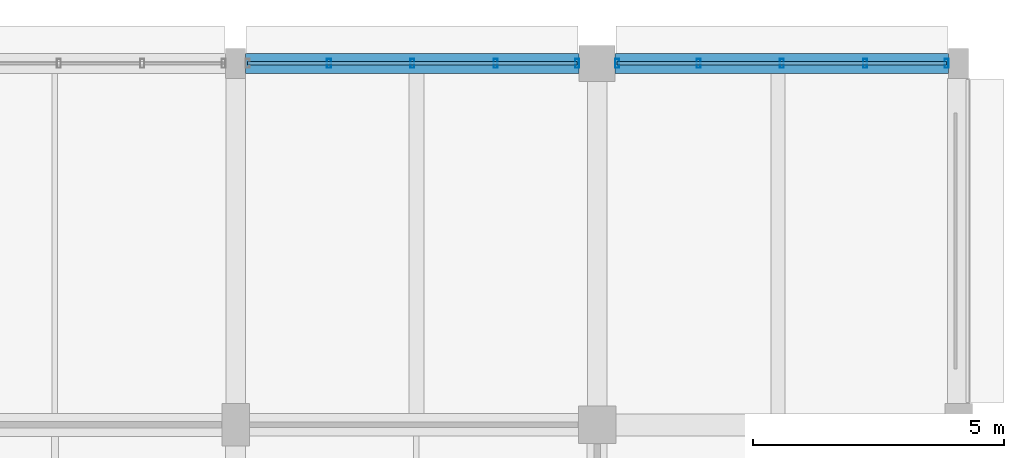
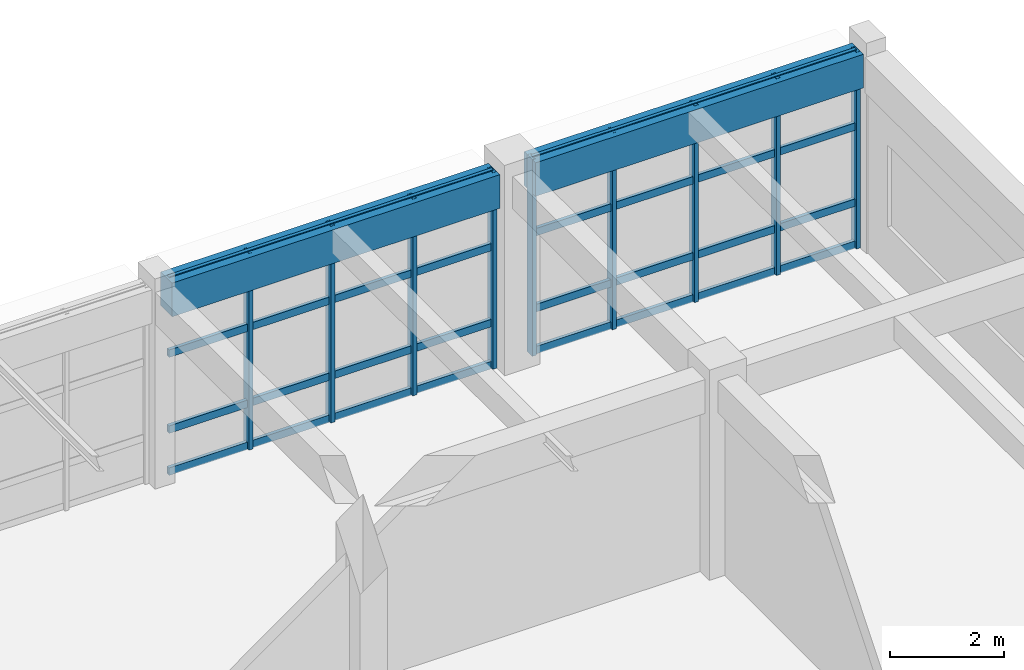
# One storey, part 116 of 171: 17 members, 2 beams, 2 elements without a shape of their own.
"""IFC4 building model written with IfcOpenShell, lengths in metres."""

from ifc_helpers import new_model, si_unit, direction, frame, origin, origin_2d, place, context, subcontext, project, spatial, rectangle, hollow_rectangle, extrude, material, material_profile, profile_set, type_object, element, aggregate, save


model = new_model("IFC4")

# Units and contexts
model_context = context("Model", 3, precision=1e-05, world=origin(), true_north=direction((0.0, 1.0)))
body_context = subcontext(model_context, "Body", "Model", "MODEL_VIEW")
ifc_project = project(units=[si_unit("LENGTHUNIT", "METRE"), si_unit("AREAUNIT", "SQUARE_METRE"), si_unit("VOLUMEUNIT", "CUBIC_METRE"), si_unit("PLANEANGLEUNIT", "RADIAN"), si_unit("MASSUNIT", "GRAM", prefix="KILO")], contexts=[model_context])

# Site, building, storey
site_placement = place(None, origin())
site = spatial("IfcSite", under=ifc_project, at=site_placement, CompositionType="ELEMENT")
building_placement = place(site_placement, origin())
building = spatial("IfcBuilding", under=site, at=building_placement, Name="Thalmaran Polytechnic", CompositionType="ELEMENT")
storey_placement = place(building_placement, frame((0.0, 0.0, 5.39990234375)))
storey = spatial("IfcBuildingStorey", under=building, at=storey_placement, Name="L01", CompositionType="ELEMENT", Elevation=5.39990234375)

# Beams
ifc_material_1 = material(Name="Concrete C40/50", Category="concrete")
ifc_material_profile_1 = material_profile(ifc_material_1, rectangle(XDim=0.39990234375, YDim=0.719970703125, at=origin_2d()), Name="RC 400x720")
ifc_profile_set_1 = profile_set([ifc_material_profile_1], Name="Concrete C40/50")
beam_type = type_object("IfcBeamType", Name="BM-SP01", PredefinedType="SPANDREL", material=ifc_profile_set_1)
beam_1_placement = place(storey_placement, frame((158.60009765625, 122.39990234375, 3.85009765625), z_axis=(1.0, 0.0, 0.0), x_axis=(0.0, 1.0, 0.0)))
element("IfcBeam", 1, at=beam_1_placement, inside=storey, type_object=beam_type, Name="Grid Beam SP01 L01 X(22,17)", PredefinedType="SPANDREL", context=body_context, shape_type="SweptSolid", body=[
    extrude(rectangle(XDim=0.39990234375, YDim=0.719970703125, at=origin_2d()), origin(), (0.0, 0.0, 1.0), 6.639892578125),
])
beam_2_placement = place(storey_placement, frame((165.9599609375, 122.39990234375, 3.85009765625), z_axis=(1.0, 0.0, 0.0), x_axis=(0.0, 1.0, 0.0)))
element("IfcBeam", 2, at=beam_2_placement, inside=storey, type_object=beam_type, Name="Grid Beam SP01 L01 X(23,17)", PredefinedType="SPANDREL", context=body_context, shape_type="SweptSolid", body=[
    extrude(rectangle(XDim=0.39990234375, YDim=0.719970703125, at=origin_2d()), origin(), (0.0, 0.0, 1.0), 6.64013671875),
])

# Curtain wall, members
ifc_material_2 = material(Name="Aluminium 6063-T6", Category="aluminium")
curtain_wall_type = type_object("IfcCurtainWallType", Name="CW-UC02", PredefinedType="USERDEFINED", material=ifc_material_2)
curtain_wall_1_placement = place(storey_placement, origin())
curtain_wall_1 = element("IfcCurtainWall", 3, at=curtain_wall_1_placement, inside=storey, type_object=curtain_wall_type, Name="Curtain Wall CW-L01-101", ObjectType="UNITISED CURTAIN WALL", PredefinedType="USERDEFINED")
ifc_material_profile_2 = material_profile(ifc_material_2, hollow_rectangle(XDim=0.080078125, YDim=0.179931640625, WallThickness=0.0048828125, at=origin_2d()), Name="RHS 180x80x5.0")
ifc_profile_set_2 = profile_set([ifc_material_profile_2], Name="Aluminium 6063-T6")
member_type_1 = type_object("IfcMemberType", Name="CW-MUL1", PredefinedType="MULLION", material=ifc_profile_set_2)
member_1_placement = place(storey_placement, frame((160.260009765625, 122.39990234375, 0.0), z_axis=(0.0, 0.0, 1.0), x_axis=(1.0, 0.0, 0.0)))
member_1 = element("IfcMember", 4, at=member_1_placement, type_object=member_type_1, Name="CW-L01-101 Mullion 2", PredefinedType="MULLION", context=body_context, shape_type="SweptSolid", body=[
    extrude(hollow_rectangle(XDim=0.080078125, YDim=0.179931640625, WallThickness=0.0048828125, at=origin_2d()), origin(), (0.0, 0.0, 1.0), 4.210205078125),
])
member_2_placement = place(storey_placement, frame((161.919921875, 122.39990234375, 0.0), z_axis=(0.0, 0.0, 1.0), x_axis=(1.0, 0.0, 0.0)))
member_2 = element("IfcMember", 5, at=member_2_placement, type_object=member_type_1, Name="CW-L01-101 Mullion 3", PredefinedType="MULLION", context=body_context, shape_type="SweptSolid", body=[
    extrude(hollow_rectangle(XDim=0.080078125, YDim=0.179931640625, WallThickness=0.0048828125, at=origin_2d()), origin(), (0.0, 0.0, 1.0), 4.210205078125),
])
member_3_placement = place(storey_placement, frame((163.580078125, 122.39990234375, 0.0), z_axis=(0.0, 0.0, 1.0), x_axis=(1.0, 0.0, 0.0)))
member_3 = element("IfcMember", 6, at=member_3_placement, type_object=member_type_1, Name="CW-L01-101 Mullion 4", PredefinedType="MULLION", context=body_context, shape_type="SweptSolid", body=[
    extrude(hollow_rectangle(XDim=0.080078125, YDim=0.179931640625, WallThickness=0.0048828125, at=origin_2d()), origin(), (0.0, 0.0, 1.0), 4.210205078125),
])
member_4_placement = place(storey_placement, frame((165.199951171875, 122.39990234375, 0.0), z_axis=(0.0, 0.0, 1.0), x_axis=(1.0, 0.0, 0.0)))
member_4 = element("IfcMember", 7, at=member_4_placement, type_object=member_type_1, Name="CW-L01-101 Mullion 5", PredefinedType="MULLION", context=body_context, shape_type="SweptSolid", body=[
    extrude(hollow_rectangle(XDim=0.080078125, YDim=0.179931640625, WallThickness=0.0048828125, at=origin_2d()), origin(), (0.0, 0.0, 1.0), 4.210205078125),
])

curtain_wall_2_placement = place(storey_placement, origin())
curtain_wall_2 = element("IfcCurtainWall", 8, at=curtain_wall_2_placement, inside=storey, type_object=curtain_wall_type, Name="Curtain Wall CW-L01-102", ObjectType="UNITISED CURTAIN WALL", PredefinedType="USERDEFINED")
member_5_placement = place(storey_placement, frame((166.0, 122.39990234375, 0.0), z_axis=(0.0, 0.0, 1.0), x_axis=(1.0, 0.0, 0.0)))
member_5 = element("IfcMember", 9, at=member_5_placement, type_object=member_type_1, Name="CW-L01-102 Mullion 1", PredefinedType="MULLION", context=body_context, shape_type="SweptSolid", body=[
    extrude(hollow_rectangle(XDim=0.080078125, YDim=0.179931640625, WallThickness=0.0048828125, at=origin_2d()), origin(), (0.0, 0.0, 1.0), 4.210205078125),
])
member_6_placement = place(storey_placement, frame((167.6201171875, 122.39990234375, 0.0), z_axis=(0.0, 0.0, 1.0), x_axis=(1.0, 0.0, 0.0)))
member_6 = element("IfcMember", 10, at=member_6_placement, type_object=member_type_1, Name="CW-L01-102 Mullion 2", PredefinedType="MULLION", context=body_context, shape_type="SweptSolid", body=[
    extrude(hollow_rectangle(XDim=0.080078125, YDim=0.179931640625, WallThickness=0.0048828125, at=origin_2d()), origin(), (0.0, 0.0, 1.0), 4.210205078125),
])
member_7_placement = place(storey_placement, frame((169.280029296875, 122.39990234375, 0.0), z_axis=(0.0, 0.0, 1.0), x_axis=(1.0, 0.0, 0.0)))
member_7 = element("IfcMember", 11, at=member_7_placement, type_object=member_type_1, Name="CW-L01-102 Mullion 3", PredefinedType="MULLION", context=body_context, shape_type="SweptSolid", body=[
    extrude(hollow_rectangle(XDim=0.080078125, YDim=0.179931640625, WallThickness=0.0048828125, at=origin_2d()), origin(), (0.0, 0.0, 1.0), 4.210205078125),
])
member_8_placement = place(storey_placement, frame((170.93994140625, 122.39990234375, 0.0), z_axis=(0.0, 0.0, 1.0), x_axis=(1.0, 0.0, 0.0)))
member_8 = element("IfcMember", 12, at=member_8_placement, type_object=member_type_1, Name="CW-L01-102 Mullion 4", PredefinedType="MULLION", context=body_context, shape_type="SweptSolid", body=[
    extrude(hollow_rectangle(XDim=0.080078125, YDim=0.179931640625, WallThickness=0.0048828125, at=origin_2d()), origin(), (0.0, 0.0, 1.0), 4.210205078125),
])
member_9_placement = place(storey_placement, frame((172.56005859375, 122.39990234375, 0.0), z_axis=(0.0, 0.0, 1.0), x_axis=(1.0, 0.0, 0.0)))
member_9 = element("IfcMember", 13, at=member_9_placement, type_object=member_type_1, Name="CW-L01-102 Mullion 5", PredefinedType="MULLION", context=body_context, shape_type="SweptSolid", body=[
    extrude(hollow_rectangle(XDim=0.080078125, YDim=0.179931640625, WallThickness=0.0048828125, at=origin_2d()), origin(), (0.0, 0.0, 1.0), 4.210205078125),
])

# Member
ifc_material_profile_3 = material_profile(ifc_material_2, hollow_rectangle(XDim=0.070068359375, YDim=0.159912109375, WallThickness=0.00390625, at=origin_2d()), Name="AL 160x70x4.0")
ifc_profile_set_3 = profile_set([ifc_material_profile_3], Name="Aluminium 6063-T6")
member_type_2 = type_object("IfcMemberType", Name="CW-TRN1", PredefinedType="USERDEFINED", material=ifc_profile_set_3)
member_10_placement = place(storey_placement, frame((158.639892578125, 122.39990234375, 0.06005859375), z_axis=(1.0, 0.0, 0.0), x_axis=(0.0, 1.0, 0.0)))
member_10 = element("IfcMember", 14, at=member_10_placement, type_object=member_type_2, Name="CW-L01-101 Transom 1", ObjectType="TRANSOM", PredefinedType="USERDEFINED", context=body_context, shape_type="SweptSolid", body=[
    extrude(hollow_rectangle(XDim=0.070068359375, YDim=0.159912109375, WallThickness=0.00390625, at=origin_2d()), origin(), (0.0, 0.0, 1.0), 6.56005859375),
])

member_11_placement = place(storey_placement, frame((158.639892578125, 122.39990234375, 0.960205078125), z_axis=(1.0, 0.0, 0.0), x_axis=(0.0, 1.0, 0.0)))
member_11 = element("IfcMember", 15, at=member_11_placement, type_object=member_type_2, Name="CW-L01-101 Transom 2", ObjectType="TRANSOM", PredefinedType="USERDEFINED", context=body_context, shape_type="SweptSolid", body=[
    extrude(hollow_rectangle(XDim=0.070068359375, YDim=0.159912109375, WallThickness=0.00390625, at=origin_2d()), origin(), (0.0, 0.0, 1.0), 6.56005859375),
])

member_12_placement = place(storey_placement, frame((158.639892578125, 122.39990234375, 2.585205078125), z_axis=(1.0, 0.0, 0.0), x_axis=(0.0, 1.0, 0.0)))
member_12 = element("IfcMember", 16, at=member_12_placement, type_object=member_type_2, Name="CW-L01-101 Transom 3", ObjectType="TRANSOM", PredefinedType="USERDEFINED", context=body_context, shape_type="SweptSolid", body=[
    extrude(hollow_rectangle(XDim=0.070068359375, YDim=0.159912109375, WallThickness=0.00390625, at=origin_2d()), origin(), (0.0, 0.0, 1.0), 6.56005859375),
])

member_13_placement = place(storey_placement, frame((158.639892578125, 122.39990234375, 4.150146484375), z_axis=(1.0, 0.0, 0.0), x_axis=(0.0, 1.0, 0.0)))
member_13 = element("IfcMember", 17, at=member_13_placement, type_object=member_type_2, Name="CW-L01-101 Transom 4", ObjectType="TRANSOM", PredefinedType="USERDEFINED", context=body_context, shape_type="SweptSolid", body=[
    extrude(hollow_rectangle(XDim=0.070068359375, YDim=0.159912109375, WallThickness=0.00390625, at=origin_2d()), origin(), (0.0, 0.0, 1.0), 6.56005859375),
])

aggregate(curtain_wall_1, [member_1, member_2, member_3, member_4, member_10, member_11, member_12, member_13])

member_14_placement = place(storey_placement, frame((166.0, 122.39990234375, 0.06005859375), z_axis=(1.0, 0.0, 0.0), x_axis=(0.0, 1.0, 0.0)))
member_14 = element("IfcMember", 18, at=member_14_placement, type_object=member_type_2, Name="CW-L01-102 Transom 1", ObjectType="TRANSOM", PredefinedType="USERDEFINED", context=body_context, shape_type="SweptSolid", body=[
    extrude(hollow_rectangle(XDim=0.070068359375, YDim=0.159912109375, WallThickness=0.00390625, at=origin_2d()), origin(), (0.0, 0.0, 1.0), 6.56005859375),
])

member_15_placement = place(storey_placement, frame((166.0, 122.39990234375, 0.960205078125), z_axis=(1.0, 0.0, 0.0), x_axis=(0.0, 1.0, 0.0)))
member_15 = element("IfcMember", 19, at=member_15_placement, type_object=member_type_2, Name="CW-L01-102 Transom 2", ObjectType="TRANSOM", PredefinedType="USERDEFINED", context=body_context, shape_type="SweptSolid", body=[
    extrude(hollow_rectangle(XDim=0.070068359375, YDim=0.159912109375, WallThickness=0.00390625, at=origin_2d()), origin(), (0.0, 0.0, 1.0), 6.56005859375),
])

member_16_placement = place(storey_placement, frame((166.0, 122.39990234375, 2.585205078125), z_axis=(1.0, 0.0, 0.0), x_axis=(0.0, 1.0, 0.0)))
member_16 = element("IfcMember", 20, at=member_16_placement, type_object=member_type_2, Name="CW-L01-102 Transom 3", ObjectType="TRANSOM", PredefinedType="USERDEFINED", context=body_context, shape_type="SweptSolid", body=[
    extrude(hollow_rectangle(XDim=0.070068359375, YDim=0.159912109375, WallThickness=0.00390625, at=origin_2d()), origin(), (0.0, 0.0, 1.0), 6.56005859375),
])

member_17_placement = place(storey_placement, frame((166.0, 122.39990234375, 4.150146484375), z_axis=(1.0, 0.0, 0.0), x_axis=(0.0, 1.0, 0.0)))
member_17 = element("IfcMember", 21, at=member_17_placement, type_object=member_type_2, Name="CW-L01-102 Transom 4", ObjectType="TRANSOM", PredefinedType="USERDEFINED", context=body_context, shape_type="SweptSolid", body=[
    extrude(hollow_rectangle(XDim=0.070068359375, YDim=0.159912109375, WallThickness=0.00390625, at=origin_2d()), origin(), (0.0, 0.0, 1.0), 6.56005859375),
])

aggregate(curtain_wall_2, [member_5, member_6, member_7, member_8, member_9, member_14, member_15, member_16, member_17])

save(model, "model.ifc")
